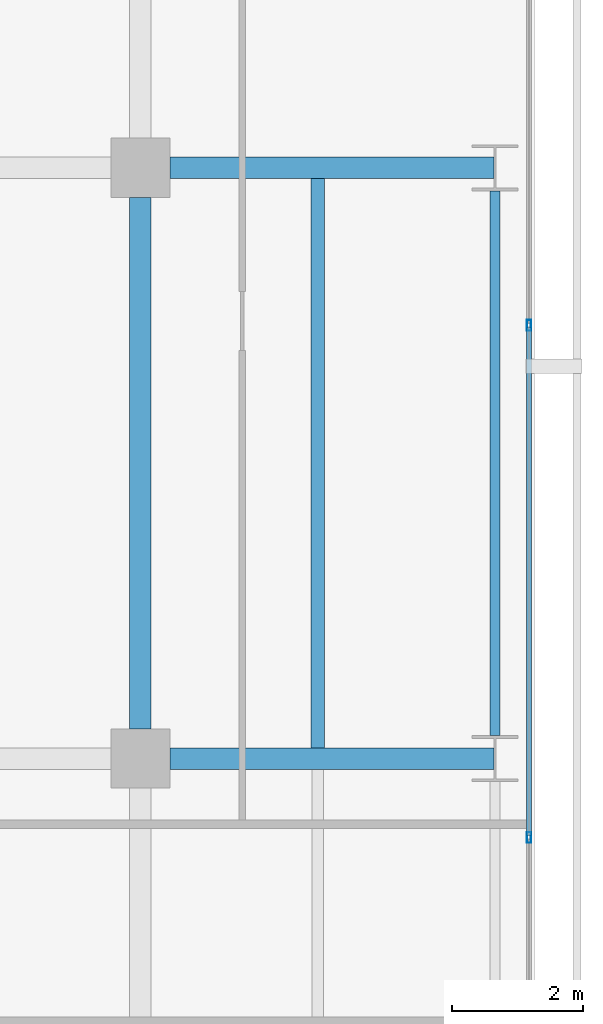
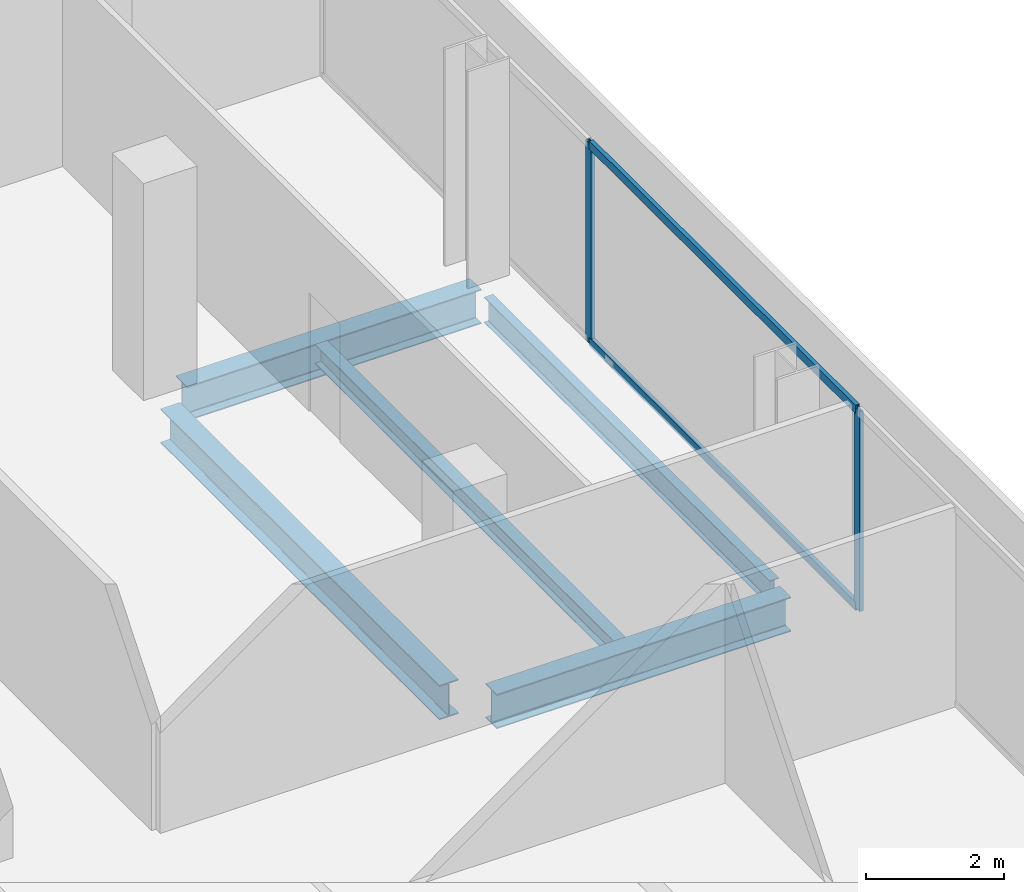
# One storey, part 28 of 39: 5 beams, 4 members, 1 element without a shape of its own.
"""IFC4 building model written with IfcOpenShell, lengths in metres."""

from ifc_helpers import new_model, si_unit, direction, frame, origin, origin_2d, place, context, subcontext, project, spatial, hollow_rectangle, i_section, extrude, material, layer, layer_set, material_profile, profile_set, type_object, element, aggregate, save


model = new_model("IFC4")

# Units and contexts
model_context = context("Model", 3, precision=1e-05, world=origin(), true_north=direction((0.0, 1.0)))
body_context = subcontext(model_context, "Body", "Model", "MODEL_VIEW")
ifc_project = project(units=[si_unit("LENGTHUNIT", "METRE"), si_unit("AREAUNIT", "SQUARE_METRE"), si_unit("VOLUMEUNIT", "CUBIC_METRE"), si_unit("PLANEANGLEUNIT", "RADIAN"), si_unit("MASSUNIT", "GRAM", prefix="KILO")], contexts=[model_context])

# Site, building, storey
site_placement = place(None, origin())
site = spatial("IfcSite", under=ifc_project, at=site_placement, CompositionType="ELEMENT")
building_placement = place(site_placement, origin())
building = spatial("IfcBuilding", under=site, at=building_placement, Name="Maruvema Waterfront Hotel and Observation Tower", CompositionType="ELEMENT")
storey_placement = place(building_placement, frame((0.0, 0.0, 111.64990234375)))
storey = spatial("IfcBuildingStorey", under=building, at=storey_placement, Name="L27", CompositionType="ELEMENT", Elevation=111.64990234375)

# Curtain wall, members
ifc_material_1 = material(Name="Anodised bronze aluminium and solar-control low-E IGU", Category="aluminium")
ifc_layer = layer(ifc_material_1, 0.159912109375, Name="Zone 1 Bronze Inner Thermal Curtain Wall System CW-02")
ifc_layer_set = layer_set([ifc_layer], Name="Anodised bronze aluminium and solar-control low-E IGU")
curtain_wall_type = type_object("IfcCurtainWallType", Name="Zone 1 Bronze Inner Thermal Curtain Wall System CW-02", PredefinedType="USERDEFINED", material=ifc_layer_set)
curtain_wall_placement = place(storey_placement, origin())
curtain_wall = element("IfcCurtainWall", 1, at=curtain_wall_placement, inside=storey, type_object=curtain_wall_type, Name="L27 Curtain Wall CW-L27-E", ObjectType="UNITISED CURTAIN WALL", PredefinedType="USERDEFINED")
ifc_material_2 = material(Name="Anodised architectural bronze aluminium", Category="aluminium")
ifc_material_profile_1 = material_profile(ifc_material_2, hollow_rectangle(XDim=0.070068359375, YDim=0.14990234375, WallThickness=0.00390625, at=origin_2d()), Name="ALU-T70x150")
ifc_profile_set_1 = profile_set([ifc_material_profile_1], Name="Anodised architectural bronze aluminium")
member_type_1 = type_object("IfcMemberType", Name="Curtain Wall Horizontal Transom ALU-T70x150", PredefinedType="USERDEFINED", material=ifc_profile_set_1)
member_1_placement = place(storey_placement, frame((64.719970703125, 34.830078125, 0.030029296875), z_axis=(0.0, 1.0, 0.0), x_axis=(-1.0, 0.0, 0.0)))
member_1 = element("IfcMember", 2, at=member_1_placement, type_object=member_type_1, Name="CW-02 transom 5.1", ObjectType="TRANSOM", PredefinedType="USERDEFINED", context=body_context, shape_type="SweptSolid", body=[
    extrude(hollow_rectangle(XDim=0.070068359375, YDim=0.14990234375, WallThickness=0.00390625, at=origin_2d()), origin(), (0.0, 0.0, 1.0), 7.739990234375),
])
member_2_placement = place(storey_placement, frame((64.719970703125, 34.830078125, 3.52001953125), z_axis=(0.0, 1.0, 0.0), x_axis=(-1.0, 0.0, 0.0)))
member_2 = element("IfcMember", 3, at=member_2_placement, type_object=member_type_1, Name="CW-02 transom 5.2", ObjectType="TRANSOM", PredefinedType="USERDEFINED", context=body_context, shape_type="SweptSolid", body=[
    extrude(hollow_rectangle(XDim=0.070068359375, YDim=0.14990234375, WallThickness=0.00390625, at=origin_2d()), origin(), (0.0, 0.0, 1.0), 7.739990234375),
])
ifc_material_3 = material(Name="Anodised architectural bronze aluminium", Category="aluminium")
ifc_material_profile_2 = material_profile(ifc_material_3, hollow_rectangle(XDim=0.06494140625, YDim=0.1650390625, WallThickness=0.00390625, at=origin_2d()), Name="ALU-M65x165")
ifc_profile_set_2 = profile_set([ifc_material_profile_2], Name="Anodised architectural bronze aluminium")
member_type_2 = type_object("IfcMemberType", Name="Curtain Wall Primary Mullion ALU-M65x165", PredefinedType="MULLION", material=ifc_profile_set_2)
member_3_placement = place(storey_placement, frame((64.719970703125, 34.800048828125, 0.0), z_axis=(0.0, 0.0, 1.0), x_axis=(-1.0, 0.0, 0.0)))
member_3 = element("IfcMember", 4, at=member_3_placement, type_object=member_type_2, Name="CW-02 mullion 5", PredefinedType="MULLION", context=body_context, shape_type="SweptSolid", body=[
    extrude(hollow_rectangle(XDim=0.06494140625, YDim=0.1650390625, WallThickness=0.00390625, at=origin_2d()), origin(), (0.0, 0.0, 1.0), 3.550048828125),
])
member_4_placement = place(storey_placement, frame((64.719970703125, 42.60009765625, 0.0), z_axis=(0.0, 0.0, 1.0), x_axis=(-1.0, 0.0, 0.0)))
member_4 = element("IfcMember", 5, at=member_4_placement, type_object=member_type_2, Name="CW-02 mullion 6", PredefinedType="MULLION", context=body_context, shape_type="SweptSolid", body=[
    extrude(hollow_rectangle(XDim=0.06494140625, YDim=0.1650390625, WallThickness=0.00390625, at=origin_2d()), origin(), (0.0, 0.0, 1.0), 3.550048828125),
])
aggregate(curtain_wall, [member_3, member_4, member_1, member_2])

# Beams
ifc_material_4 = material(Name="Steel ASTM A572 Grade 50", Category="steel")
ifc_material_profile_3 = material_profile(ifc_material_4, i_section(OverallWidth=0.153076171875, OverallDepth=0.455078125, WebThickness=0.008056640625, FlangeThickness=0.01318359375, FilletRadius=0.014892578125, at=origin_2d()), Name="W460x60.0")
ifc_profile_set_3 = profile_set([ifc_material_profile_3], Name="Steel ASTM A572 Grade 50")
beam_type_1 = type_object("IfcBeamType", Name="Perimeter Spandrel Beam W460x60.0", PredefinedType="SPANDREL", material=ifc_profile_set_3)
beam_1_placement = place(storey_placement, frame((64.199951171875, 36.35009765625, -0.46728515625), z_axis=(0.0, 1.0, 0.0), x_axis=(-1.0, 0.0, 0.0)))
element("IfcBeam", 6, at=beam_1_placement, inside=storey, type_object=beam_type_1, Name="L27 Floor Girder NS-36", PredefinedType="SPANDREL", context=body_context, shape_type="SweptSolid", body=[
    extrude(i_section(OverallWidth=0.153076171875, OverallDepth=0.455078125, WebThickness=0.008056640625, FlangeThickness=0.01318359375, FilletRadius=0.014892578125, at=origin_2d()), origin(), (0.0, 0.0, 1.0), 8.2998046875),
])
ifc_material_5 = material(Name="Steel ASTM A572 Grade 50", Category="steel")
ifc_material_profile_4 = material_profile(ifc_material_5, i_section(OverallWidth=0.323974609375, OverallDepth=0.611083984375, WebThickness=0.0126953125, FlangeThickness=0.01904296875, FilletRadius=0.01806640625, at=origin_2d()), Name="W610x155.0")
ifc_profile_set_4 = profile_set([ifc_material_profile_4], Name="Steel ASTM A572 Grade 50")
beam_type_2 = type_object("IfcBeamType", Name="Primary Floor Girder W610x155.0", PredefinedType="BEAM", material=ifc_profile_set_4)
for number, where, z_axis, x_axis, name in (
    (7, (59.25, 36.0, -0.54541015625), (1.0, 0.0, 0.0), (0.0, 1.0, 0.0), "L27 Floor Girder EW-31"),
    (8, (59.25, 45.0, -0.54541015625), (1.0, 0.0, 0.0), (0.0, 1.0, 0.0), "L27 Floor Girder EW-35"),
):
    element("IfcBeam", number, at=place(storey_placement, frame(where, z_axis=z_axis, x_axis=x_axis)), inside=storey, type_object=beam_type_2, Name=name, PredefinedType="BEAM", context=body_context, shape_type="SweptSolid", body=[
        extrude(i_section(OverallWidth=0.323974609375, OverallDepth=0.611083984375, WebThickness=0.0126953125, FlangeThickness=0.01904296875, FilletRadius=0.01806640625, at=origin_2d()), origin(), (0.0, 0.0, 1.0), 4.93603515625),
    ])
beam_2_placement = place(storey_placement, frame((58.800048828125, 36.449951171875, -0.54541015625), z_axis=(0.0, 1.0, 0.0), x_axis=(-1.0, 0.0, 0.0)))
element("IfcBeam", 9, at=beam_2_placement, inside=storey, type_object=beam_type_2, Name="L27 Floor Girder NS-31", PredefinedType="BEAM", context=body_context, shape_type="SweptSolid", body=[
    extrude(i_section(OverallWidth=0.323974609375, OverallDepth=0.611083984375, WebThickness=0.0126953125, FlangeThickness=0.01904296875, FilletRadius=0.01806640625, at=origin_2d()), origin(), (0.0, 0.0, 1.0), 8.10009765625),
])
ifc_material_6 = material(Name="Steel ASTM A572 Grade 50", Category="steel")
ifc_material_profile_5 = material_profile(ifc_material_6, i_section(OverallWidth=0.202880859375, OverallDepth=0.346923828125, WebThickness=0.0078125, FlangeThickness=0.013427734375, FilletRadius=0.014892578125, at=origin_2d()), Name="W360x64.0")
ifc_profile_set_5 = profile_set([ifc_material_profile_5], Name="Steel ASTM A572 Grade 50")
beam_type_3 = type_object("IfcBeamType", Name="Secondary Floor Joist W360x64.0", PredefinedType="JOIST", material=ifc_profile_set_5)
beam_3_placement = place(storey_placement, frame((61.5, 36.162109375, -0.413330078125), z_axis=(0.0, 1.0, 0.0), x_axis=(-1.0, 0.0, 0.0)))
element("IfcBeam", 10, at=beam_3_placement, inside=storey, type_object=beam_type_3, Name="L27 Secondary Floor Joist JS-24", PredefinedType="JOIST", context=body_context, shape_type="SweptSolid", body=[
    extrude(i_section(OverallWidth=0.202880859375, OverallDepth=0.346923828125, WebThickness=0.0078125, FlangeThickness=0.013427734375, FilletRadius=0.014892578125, at=origin_2d()), origin(), (0.0, 0.0, 1.0), 8.67578125),
])

save(model, "model.ifc")
